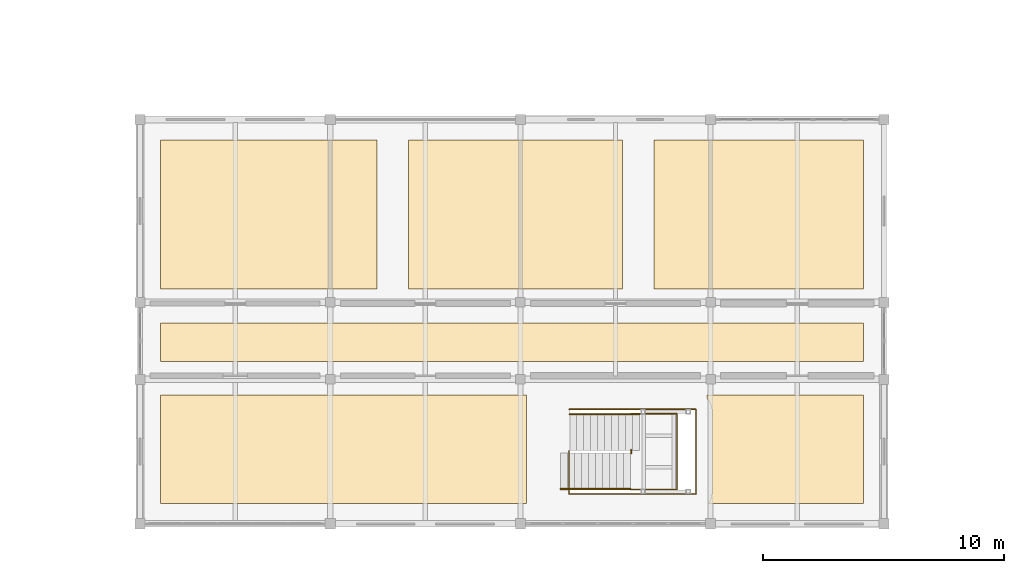
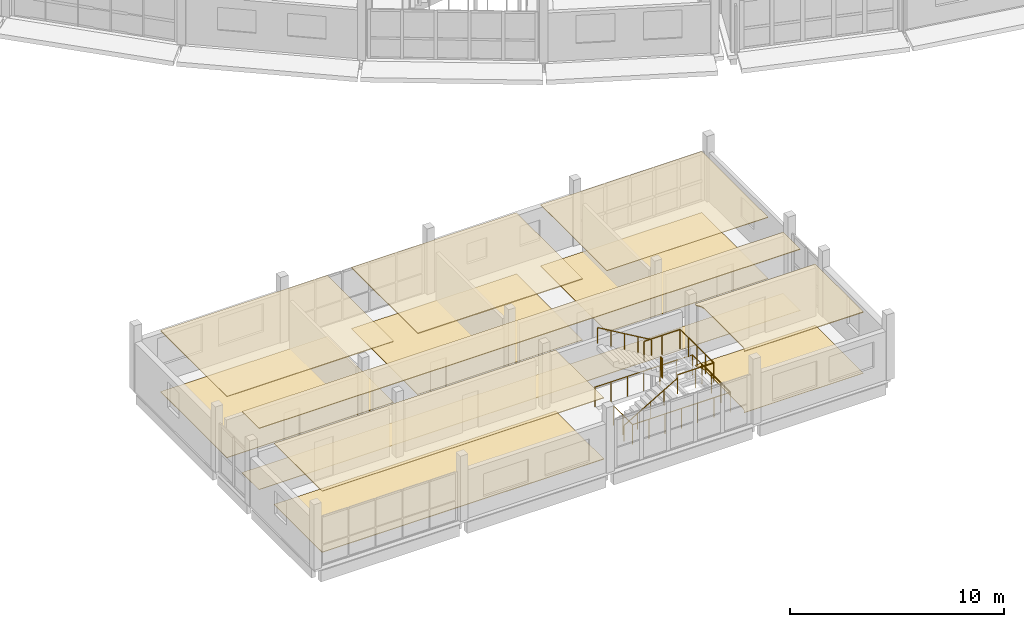
# One storey, part 65 of 77: 12 coverings, 5 railings.
"""IFC4 building model written with IfcOpenShell, lengths in metres."""

from ifc_helpers import new_model, si_unit, direction, frame, origin, origin_2d, place, context, subcontext, project, spatial, polyline, circle, outline, extrude, material, layer, layer_set, type_object, element, save


model = new_model("IFC4")

# Units and contexts
model_context = context("Model", 3, precision=1e-05, world=origin(), true_north=direction((0.0, 1.0)))
body_context = subcontext(model_context, "Body", "Model", "MODEL_VIEW")
ifc_project = project(units=[si_unit("LENGTHUNIT", "METRE"), si_unit("AREAUNIT", "SQUARE_METRE"), si_unit("VOLUMEUNIT", "CUBIC_METRE"), si_unit("PLANEANGLEUNIT", "RADIAN"), si_unit("MASSUNIT", "GRAM", prefix="KILO")], contexts=[model_context])

# Site, building, storey
site_placement = place(None, origin())
site = spatial("IfcSite", under=ifc_project, at=site_placement, CompositionType="ELEMENT")
building_placement = place(site_placement, origin())
building = spatial("IfcBuilding", under=site, at=building_placement, Name="Caldaven Crescent School", CompositionType="ELEMENT")
storey_placement = place(building_placement, frame((0.0, 0.0, 4.419921875)))
storey = spatial("IfcBuildingStorey", under=building, at=storey_placement, Name="L01", CompositionType="ELEMENT", Elevation=4.419921875)

# Coverings
ifc_material_1 = material(Name="Perforated Pino Radiata acoustic timber baffle ceiling", Category="wood")
ifc_layer_1 = layer(ifc_material_1, 0.030029296875)
ifc_layer_set_1 = layer_set([ifc_layer_1], Name="Perforated Pino Radiata acoustic timber baffle ceiling")
covering_type_1 = type_object("IfcCoveringType", Name="COV-CLG1", PredefinedType="CEILING", material=ifc_layer_set_1)
covering_1_placement = place(storey_placement, frame((0.0, 0.0, 3.489990234375)))
element("IfcCovering", 1, at=covering_1_placement, inside=storey, type_object=covering_type_1, Name="CLG-L01-052", PredefinedType="CEILING", context=body_context, shape_type="SweptSolid", body=[
    extrude(outline(polyline([(55.550048828125, 20.14990234375), (55.550048828125, 13.949951171875), (46.85009765625, 13.949951171875), (46.85009765625, 20.14990234375), (55.550048828125, 20.14990234375)])), origin(), (0.0, 0.0, 1.0), 0.030029296875),
])
ifc_layer_2 = layer(ifc_material_1, 0.0380859375)
ifc_layer_set_2 = layer_set([ifc_layer_2], Name="Perforated Pino Radiata acoustic timber baffle ceiling")
covering_type_2 = type_object("IfcCoveringType", Name="COV-CLG2", PredefinedType="CEILING", material=ifc_layer_set_2)
covering_2_placement = place(storey_placement, frame((0.0, 0.0, 3.482177734375)))
element("IfcCovering", 2, at=covering_2_placement, inside=storey, type_object=covering_type_2, Name="CLG-L01-049", PredefinedType="CEILING", context=body_context, shape_type="SweptSolid", body=[
    extrude(outline(polyline([(55.550048828125, 12.550048828125), (55.550048828125, 10.949951171875), (26.35009765625, 10.949951171875), (26.35009765625, 12.550048828125), (55.550048828125, 12.550048828125)])), origin(), (0.0, 0.0, 1.0), 0.037841796875),
])
covering_3_placement = place(storey_placement, frame((0.0, 0.0, 3.482177734375)))
element("IfcCovering", 3, at=covering_3_placement, inside=storey, type_object=covering_type_2, Name="CLG-L01-053", PredefinedType="CEILING", context=body_context, shape_type="SweptSolid", body=[
    extrude(outline(polyline([(41.550048828125, 9.550048828125), (41.550048828125, 5.050048828125), (26.35009765625, 5.050048828125), (26.35009765625, 9.550048828125), (41.550048828125, 9.550048828125)])), origin(), (0.0, 0.0, 1.0), 0.037841796875),
])
ifc_layer_3 = layer(ifc_material_1, 0.0458984375)
ifc_layer_set_3 = layer_set([ifc_layer_3], Name="Perforated Pino Radiata acoustic timber baffle ceiling")
covering_type_3 = type_object("IfcCoveringType", Name="COV-CLG3", PredefinedType="CEILING", material=ifc_layer_set_3)
covering_4_placement = place(storey_placement, frame((0.0, 0.0, 3.47412109375)))
element("IfcCovering", 4, at=covering_4_placement, inside=storey, type_object=covering_type_3, Name="CLG-L01-050", PredefinedType="CEILING", context=body_context, shape_type="SweptSolid", body=[
    extrude(outline(polyline([(35.35009765625, 20.14990234375), (35.35009765625, 13.949951171875), (26.35009765625, 13.949951171875), (26.35009765625, 20.14990234375), (35.35009765625, 20.14990234375)])), origin(), (0.0, 0.0, 1.0), 0.0458984375),
])
covering_5_placement = place(storey_placement, frame((0.0, 0.0, 3.47412109375)))
element("IfcCovering", 5, at=covering_5_placement, inside=storey, type_object=covering_type_3, Name="CLG-L01-054", PredefinedType="CEILING", context=body_context, shape_type="SweptSolid", body=[
    extrude(outline(polyline([(49.050048828125, 9.550048828125), (55.550048828125, 9.550048828125), (55.550048828125, 5.050048828125), (49.10205078125, 5.050048828125), (49.104736328125, 5.053466796875), (49.119384765625, 5.0732421875), (49.144287109375, 5.1103515625), (49.156982421875, 5.131591796875), (49.177001953125, 5.169189453125), (49.1875, 5.191162109375), (49.205078125, 5.23388671875), (49.21337890625, 5.2568359375), (49.2255859375, 5.29736328125), (49.2314453125, 5.3212890625), (49.240234375, 5.365234375), (49.243896484375, 5.3896484375), (49.248291015625, 5.43359375), (49.24951171875, 5.4580078125), (49.25, 5.47998046875), (49.25, 8.919921875), (49.24951171875, 8.94189453125), (49.248291015625, 8.966552734375), (49.243896484375, 9.010498046875), (49.240234375, 9.03466796875), (49.2314453125, 9.078857421875), (49.2255859375, 9.1025390625), (49.21337890625, 9.14306640625), (49.205078125, 9.166259765625), (49.1875, 9.208740234375), (49.177001953125, 9.23095703125), (49.156982421875, 9.2685546875), (49.144287109375, 9.28955078125), (49.119384765625, 9.326904296875), (49.104736328125, 9.346435546875), (49.07666015625, 9.380859375), (49.060302734375, 9.39892578125), (49.050048828125, 9.4091796875), (49.050048828125, 9.550048828125)])), origin(), (0.0, 0.0, 1.0), 0.0458984375),
])
ifc_layer_4 = layer(ifc_material_1, 0.053955078125)
ifc_layer_set_4 = layer_set([ifc_layer_4], Name="Perforated Pino Radiata acoustic timber baffle ceiling")
covering_type_4 = type_object("IfcCoveringType", Name="COV-CLG4", PredefinedType="CEILING", material=ifc_layer_set_4)
covering_6_placement = place(storey_placement, frame((0.0, 0.0, 3.466064453125)))
element("IfcCovering", 6, at=covering_6_placement, inside=storey, type_object=covering_type_4, Name="CLG-L01-051", PredefinedType="CEILING", context=body_context, shape_type="SweptSolid", body=[
    extrude(outline(polyline([(45.550048828125, 20.14990234375), (45.550048828125, 13.949951171875), (36.64990234375, 13.949951171875), (36.64990234375, 20.14990234375), (45.550048828125, 20.14990234375)])), origin(), (0.0, 0.0, 1.0), 0.053955078125),
])
ifc_material_2 = material(Name="Polished terrazzo and acoustic linoleum flooring")
ifc_layer_5 = layer(ifc_material_2, 0.02001953125)
ifc_layer_set_5 = layer_set([ifc_layer_5], Name="Polished terrazzo and acoustic linoleum flooring")
covering_type_5 = type_object("IfcCoveringType", Name="COV-FLR1", PredefinedType="FLOORING", material=ifc_layer_set_5)
covering_7_placement = place(storey_placement, origin())
element("IfcCovering", 7, at=covering_7_placement, inside=storey, type_object=covering_type_5, Name="FLR-L01-051", PredefinedType="FLOORING", context=body_context, shape_type="SweptSolid", body=[
    extrude(outline(polyline([(36.64990234375, 20.14990234375), (45.550048828125, 20.14990234375), (45.550048828125, 13.949951171875), (36.64990234375, 13.949951171875), (36.64990234375, 20.14990234375)])), origin(), (0.0, 0.0, 1.0), 0.02001953125),
])
covering_8_placement = place(storey_placement, origin())
element("IfcCovering", 8, at=covering_8_placement, inside=storey, type_object=covering_type_5, Name="FLR-L01-054", PredefinedType="FLOORING", context=body_context, shape_type="SweptSolid", body=[
    extrude(outline(polyline([(49.050048828125, 9.4091796875), (49.050048828125, 9.550048828125), (55.550048828125, 9.550048828125), (55.550048828125, 5.050048828125), (49.10205078125, 5.050048828125), (49.104736328125, 5.053466796875), (49.119384765625, 5.0732421875), (49.144287109375, 5.1103515625), (49.156982421875, 5.131591796875), (49.177001953125, 5.169189453125), (49.1875, 5.191162109375), (49.205078125, 5.23388671875), (49.21337890625, 5.2568359375), (49.2255859375, 5.29736328125), (49.2314453125, 5.3212890625), (49.240234375, 5.365234375), (49.243896484375, 5.3896484375), (49.248291015625, 5.43359375), (49.24951171875, 5.4580078125), (49.25, 5.47998046875), (49.25, 8.919921875), (49.24951171875, 8.94189453125), (49.248291015625, 8.966552734375), (49.243896484375, 9.010498046875), (49.240234375, 9.03466796875), (49.2314453125, 9.078857421875), (49.2255859375, 9.1025390625), (49.21337890625, 9.14306640625), (49.205078125, 9.166259765625), (49.1875, 9.208740234375), (49.177001953125, 9.23095703125), (49.156982421875, 9.2685546875), (49.144287109375, 9.28955078125), (49.119384765625, 9.326904296875), (49.104736328125, 9.346435546875), (49.07666015625, 9.380859375), (49.060302734375, 9.39892578125), (49.050048828125, 9.4091796875)])), origin(), (0.0, 0.0, 1.0), 0.02001953125),
])
ifc_layer_6 = layer(ifc_material_2, 0.02587890625)
ifc_layer_set_6 = layer_set([ifc_layer_6], Name="Polished terrazzo and acoustic linoleum flooring")
covering_type_6 = type_object("IfcCoveringType", Name="COV-FLR2", PredefinedType="FLOORING", material=ifc_layer_set_6)
covering_9_placement = place(storey_placement, origin())
element("IfcCovering", 9, at=covering_9_placement, inside=storey, type_object=covering_type_6, Name="FLR-L01-049", PredefinedType="FLOORING", context=body_context, shape_type="SweptSolid", body=[
    extrude(outline(polyline([(26.35009765625, 12.550048828125), (55.550048828125, 12.550048828125), (55.550048828125, 10.949951171875), (26.35009765625, 10.949951171875), (26.35009765625, 12.550048828125)])), origin(), (0.0, 0.0, 1.0), 0.026123046875),
])
covering_10_placement = place(storey_placement, origin())
element("IfcCovering", 10, at=covering_10_placement, inside=storey, type_object=covering_type_6, Name="FLR-L01-052", PredefinedType="FLOORING", context=body_context, shape_type="SweptSolid", body=[
    extrude(outline(polyline([(46.85009765625, 20.14990234375), (55.550048828125, 20.14990234375), (55.550048828125, 13.949951171875), (46.85009765625, 13.949951171875), (46.85009765625, 20.14990234375)])), origin(), (0.0, 0.0, 1.0), 0.026123046875),
])
ifc_layer_7 = layer(ifc_material_2, 0.031982421875)
ifc_layer_set_7 = layer_set([ifc_layer_7], Name="Polished terrazzo and acoustic linoleum flooring")
covering_type_7 = type_object("IfcCoveringType", Name="COV-FLR3", PredefinedType="FLOORING", material=ifc_layer_set_7)
covering_11_placement = place(storey_placement, origin())
element("IfcCovering", 11, at=covering_11_placement, inside=storey, type_object=covering_type_7, Name="FLR-L01-050", PredefinedType="FLOORING", context=body_context, shape_type="SweptSolid", body=[
    extrude(outline(polyline([(26.35009765625, 20.14990234375), (35.35009765625, 20.14990234375), (35.35009765625, 13.949951171875), (26.35009765625, 13.949951171875), (26.35009765625, 20.14990234375)])), origin(), (0.0, 0.0, 1.0), 0.031982421875),
])
covering_12_placement = place(storey_placement, origin())
element("IfcCovering", 12, at=covering_12_placement, inside=storey, type_object=covering_type_7, Name="FLR-L01-053", PredefinedType="FLOORING", context=body_context, shape_type="SweptSolid", body=[
    extrude(outline(polyline([(26.35009765625, 9.550048828125), (41.550048828125, 9.550048828125), (41.550048828125, 5.050048828125), (26.35009765625, 5.050048828125), (26.35009765625, 9.550048828125)])), origin(), (0.0, 0.0, 1.0), 0.031982421875),
])

# Railings
ifc_material_3 = material(Name="Brushed stainless-steel continuous tubular handrail", Category="steel")
railing_type_1 = type_object("IfcRailingType", Name="RAL-HR3", PredefinedType="HANDRAIL", material=ifc_material_3)
railing_1_placement = place(storey_placement, frame((42.969970703125, 5.64501953125, 0.173095703125)))
element("IfcRailing", 13, at=railing_1_placement, inside=storey, type_object=railing_type_1, Name="HR-STV4S-L01-F1", PredefinedType="HANDRAIL", context=body_context, shape_type="SweptSolid", body=[
    extrude(circle(Radius=0.02392578125, at=origin_2d()), frame((0.0, 0.0, 0.89599609375), z_axis=(0.86271545106, 0.0, 0.505689678065), x_axis=(0.0, 1.0, 0.0)), (0.0, 0.0, 1.0), 3.361572265625),
    extrude(circle(Radius=0.02099609375, at=origin_2d()), origin(), (0.0, 0.0, 1.0), 0.871826171875),
    extrude(circle(Radius=0.02099609375, at=origin_2d()), frame((0.72509765625, 0.0, 0.425048828125)), (0.0, 0.0, 1.0), 0.871826171875),
    extrude(circle(Radius=0.02099609375, at=origin_2d()), frame((1.4501953125, 0.0, 0.85009765625)), (0.0, 0.0, 1.0), 0.871826171875),
    extrude(circle(Radius=0.02099609375, at=origin_2d()), frame((2.175048828125, 0.0, 1.27490234375)), (0.0, 0.0, 1.0), 0.871826171875),
    extrude(circle(Radius=0.02099609375, at=origin_2d()), frame((2.900146484375, 0.0, 1.699951171875)), (0.0, 0.0, 1.0), 0.871826171875),
])
railing_2_placement = place(storey_placement, frame((46.25, 8.7548828125, 2.04296875)))
element("IfcRailing", 14, at=railing_2_placement, inside=storey, type_object=railing_type_1, Name="HR-STV4S-L01-F2", PredefinedType="HANDRAIL", context=body_context, shape_type="SweptSolid", body=[
    extrude(circle(Radius=0.02392578125, at=origin_2d()), frame((0.0, 0.0, 0.89599609375), z_axis=(-0.862665189664, 0.0, 0.505775415122), x_axis=(0.0, -1.0, 0.0)), (0.0, 0.0, 1.0), 3.361572265625),
    extrude(circle(Radius=0.02099609375, at=origin_2d()), origin(), (0.0, 0.0, 1.0), 0.871826171875),
    extrude(circle(Radius=0.02099609375, at=origin_2d()), frame((-0.72509765625, 0.0, 0.425048828125)), (0.0, 0.0, 1.0), 0.871826171875),
    extrude(circle(Radius=0.02099609375, at=origin_2d()), frame((-1.449951171875, 0.0, 0.85009765625)), (0.0, 0.0, 1.0), 0.871826171875),
    extrude(circle(Radius=0.02099609375, at=origin_2d()), frame((-2.1748046875, 0.0, 1.275146484375)), (0.0, 0.0, 1.0), 0.871826171875),
    extrude(circle(Radius=0.02099609375, at=origin_2d()), frame((-2.89990234375, 0.0, 1.7001953125)), (0.0, 0.0, 1.0), 0.871826171875),
])
ifc_material_4 = material(Name="Powder-coated tubular steel balustrade ASTM A572 Grade 50", Category="steel")
railing_type_2 = type_object("IfcRailingType", Name="RAL-INT2", PredefinedType="BALUSTRADE", material=ifc_material_4)
railing_3_placement = place(storey_placement, frame((45.8701171875, 5.6298828125, 1.8701171875)))
element("IfcRailing", 15, at=railing_3_placement, inside=storey, type_object=railing_type_2, Name="GD-LND-STV4S-L01", PredefinedType="BALUSTRADE", context=body_context, shape_type="SweptSolid", body=[
    extrude(circle(Radius=0.02392578125, at=origin_2d()), frame((0.0, 0.0, 1.09619140625), z_axis=(1.0, 0.0, 0.0), x_axis=(0.0, 1.0, 0.0)), (0.0, 0.0, 1.0), 1.93994140625),
    extrude(circle(Radius=0.02392578125, at=origin_2d()), frame((1.93994140625, 0.0, 1.09619140625), z_axis=(0.0, 1.0, 0.0), x_axis=(-1.0, 0.0, 0.0)), (0.0, 0.0, 1.0), 3.14013671875),
    extrude(circle(Radius=0.02392578125, at=origin_2d()), frame((1.93994140625, 3.14013671875, 1.09619140625), z_axis=(-1.0, 0.0, 0.0), x_axis=(0.0, -1.0, 0.0)), (0.0, 0.0, 1.0), 1.93994140625),
    extrude(circle(Radius=0.02099609375, at=origin_2d()), origin(), (0.0, 0.0, 1.0), 1.072021484375),
    extrude(circle(Radius=0.02099609375, at=origin_2d()), frame((0.969970703125, 0.0, 0.0)), (0.0, 0.0, 1.0), 1.072021484375),
    extrude(circle(Radius=0.02099609375, at=origin_2d()), frame((1.93994140625, 0.0, 0.0)), (0.0, 0.0, 1.0), 1.072021484375),
    extrude(circle(Radius=0.02099609375, at=origin_2d()), frame((1.93994140625, 0.78515625, 0.0)), (0.0, 0.0, 1.0), 1.072021484375),
    extrude(circle(Radius=0.02099609375, at=origin_2d()), frame((1.93994140625, 1.570068359375, 0.0)), (0.0, 0.0, 1.0), 1.072021484375),
    extrude(circle(Radius=0.02099609375, at=origin_2d()), frame((1.93994140625, 2.35498046875, 0.0)), (0.0, 0.0, 1.0), 1.072021484375),
    extrude(circle(Radius=0.02099609375, at=origin_2d()), frame((1.93994140625, 3.14013671875, 0.0)), (0.0, 0.0, 1.0), 1.072021484375),
    extrude(circle(Radius=0.02099609375, at=origin_2d()), frame((0.969970703125, 3.14013671875, 0.0)), (0.0, 0.0, 1.0), 1.072021484375),
    extrude(circle(Radius=0.02099609375, at=origin_2d()), frame((0.0, 3.14013671875, 0.0)), (0.0, 0.0, 1.0), 1.072021484375),
])
railing_4_placement = place(storey_placement, frame((45.89990234375, 7.1298828125, 1.8701171875)))
element("IfcRailing", 16, at=railing_4_placement, inside=storey, type_object=railing_type_2, Name="GD-SLT-STV4S-L01", PredefinedType="BALUSTRADE", context=body_context, shape_type="SweptSolid", body=[
    extrude(circle(Radius=0.02392578125, at=origin_2d()), frame((0.0, 0.0, 1.09619140625), z_axis=(0.0, 1.0, 0.0), x_axis=(-1.0, 0.0, 0.0)), (0.0, 0.0, 1.0), 0.14013671875),
    extrude(circle(Radius=0.02099609375, at=origin_2d()), origin(), (0.0, 0.0, 1.0), 1.072021484375),
    extrude(circle(Radius=0.02099609375, at=origin_2d()), frame((0.0, 0.14013671875, 0.0)), (0.0, 0.0, 1.0), 1.072021484375),
])
railing_type_3 = type_object("IfcRailingType", Name="RAL-INT3", PredefinedType="BALUSTRADE", material=ifc_material_4)
railing_5_placement = place(storey_placement, frame((43.318115234375, 7.219970703125, 0.0)))
element("IfcRailing", 17, at=railing_5_placement, inside=storey, type_object=railing_type_3, Name="GD-WELL-STV4S-L01", PredefinedType="BALUSTRADE", context=body_context, shape_type="SweptSolid", body=[
    extrude(circle(Radius=0.02392578125, at=origin_2d()), frame((0.0, 0.0, 1.1259765625), z_axis=(0.0, -1.0, 0.0), x_axis=(1.0, 0.0, 0.0)), (0.0, 0.0, 1.0), 1.780029296875),
    extrude(circle(Radius=0.02392578125, at=origin_2d()), frame((0.0, -1.780029296875, 1.1259765625), z_axis=(1.0, 0.0, 0.0), x_axis=(0.0, 1.0, 0.0)), (0.0, 0.0, 1.0), 5.27197265625),
    extrude(circle(Radius=0.02392578125, at=origin_2d()), frame((5.27197265625, -1.780029296875, 1.1259765625), z_axis=(0.0, 1.0, 0.0), x_axis=(-1.0, 0.0, 0.0)), (0.0, 0.0, 1.0), 3.52001953125),
    extrude(circle(Radius=0.02392578125, at=origin_2d()), frame((5.27197265625, 1.739990234375, 1.1259765625), z_axis=(-1.0, 0.0, 0.0), x_axis=(0.0, -1.0, 0.0)), (0.0, 0.0, 1.0), 5.27197265625),
    extrude(circle(Radius=0.02099609375, at=origin_2d()), origin(), (0.0, 0.0, 1.0), 1.101806640625),
    extrude(circle(Radius=0.02099609375, at=origin_2d()), frame((0.0, -0.89013671875, 0.0)), (0.0, 0.0, 1.0), 1.101806640625),
    extrude(circle(Radius=0.02099609375, at=origin_2d()), frame((0.0, -1.780029296875, 0.0)), (0.0, 0.0, 1.0), 1.101806640625),
    extrude(circle(Radius=0.02099609375, at=origin_2d()), frame((0.878662109375, -1.780029296875, 0.0)), (0.0, 0.0, 1.0), 1.101806640625),
    extrude(circle(Radius=0.02099609375, at=origin_2d()), frame((1.75732421875, -1.780029296875, 0.0)), (0.0, 0.0, 1.0), 1.101806640625),
    extrude(circle(Radius=0.02099609375, at=origin_2d()), frame((2.635986328125, -1.780029296875, 0.0)), (0.0, 0.0, 1.0), 1.101806640625),
    extrude(circle(Radius=0.02099609375, at=origin_2d()), frame((3.5146484375, -1.780029296875, 0.0)), (0.0, 0.0, 1.0), 1.101806640625),
    extrude(circle(Radius=0.02099609375, at=origin_2d()), frame((4.393310546875, -1.780029296875, 0.0)), (0.0, 0.0, 1.0), 1.101806640625),
    extrude(circle(Radius=0.02099609375, at=origin_2d()), frame((5.27197265625, -1.780029296875, 0.0)), (0.0, 0.0, 1.0), 1.101806640625),
    extrude(circle(Radius=0.02099609375, at=origin_2d()), frame((5.27197265625, -0.89990234375, 0.0)), (0.0, 0.0, 1.0), 1.101806640625),
    extrude(circle(Radius=0.02099609375, at=origin_2d()), frame((5.27197265625, -0.02001953125, 0.0)), (0.0, 0.0, 1.0), 1.101806640625),
    extrude(circle(Radius=0.02099609375, at=origin_2d()), frame((5.27197265625, 0.85986328125, 0.0)), (0.0, 0.0, 1.0), 1.101806640625),
    extrude(circle(Radius=0.02099609375, at=origin_2d()), frame((5.27197265625, 1.739990234375, 0.0)), (0.0, 0.0, 1.0), 1.101806640625),
    extrude(circle(Radius=0.02099609375, at=origin_2d()), frame((4.393310546875, 1.739990234375, 0.0)), (0.0, 0.0, 1.0), 1.101806640625),
    extrude(circle(Radius=0.02099609375, at=origin_2d()), frame((3.5146484375, 1.739990234375, 0.0)), (0.0, 0.0, 1.0), 1.101806640625),
    extrude(circle(Radius=0.02099609375, at=origin_2d()), frame((2.635986328125, 1.739990234375, 0.0)), (0.0, 0.0, 1.0), 1.101806640625),
    extrude(circle(Radius=0.02099609375, at=origin_2d()), frame((1.75732421875, 1.739990234375, 0.0)), (0.0, 0.0, 1.0), 1.101806640625),
    extrude(circle(Radius=0.02099609375, at=origin_2d()), frame((0.878662109375, 1.739990234375, 0.0)), (0.0, 0.0, 1.0), 1.101806640625),
    extrude(circle(Radius=0.02099609375, at=origin_2d()), frame((0.0, 1.739990234375, 0.0)), (0.0, 0.0, 1.0), 1.101806640625),
])

save(model, "model.ifc")
